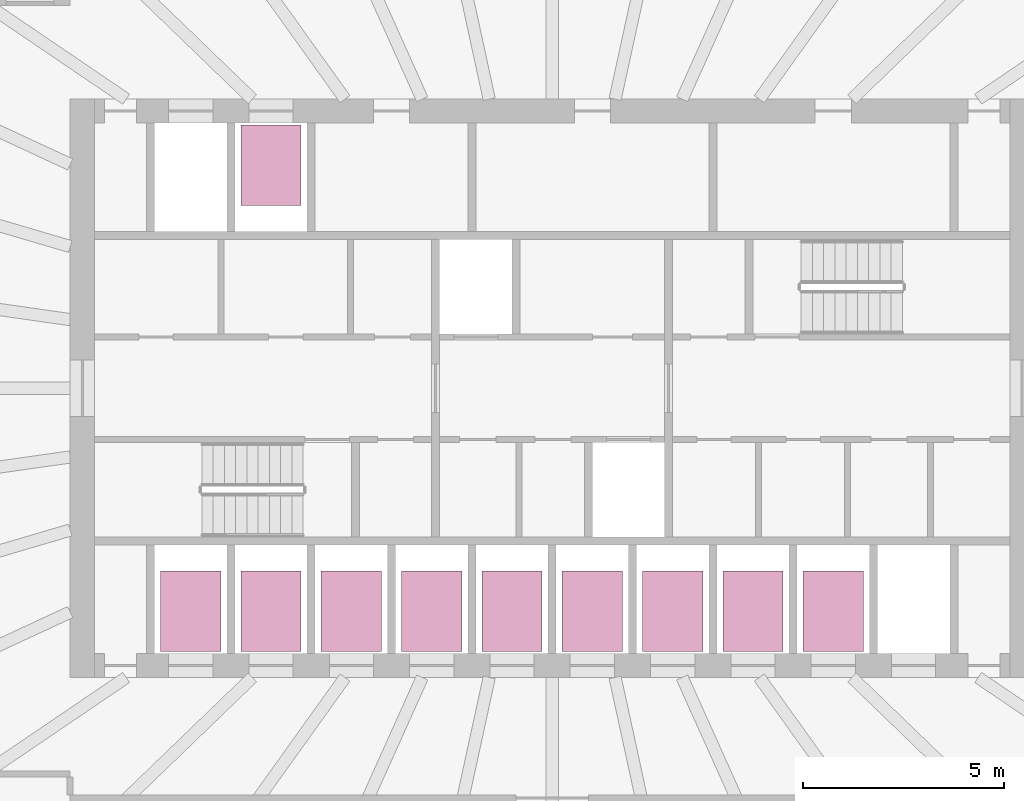
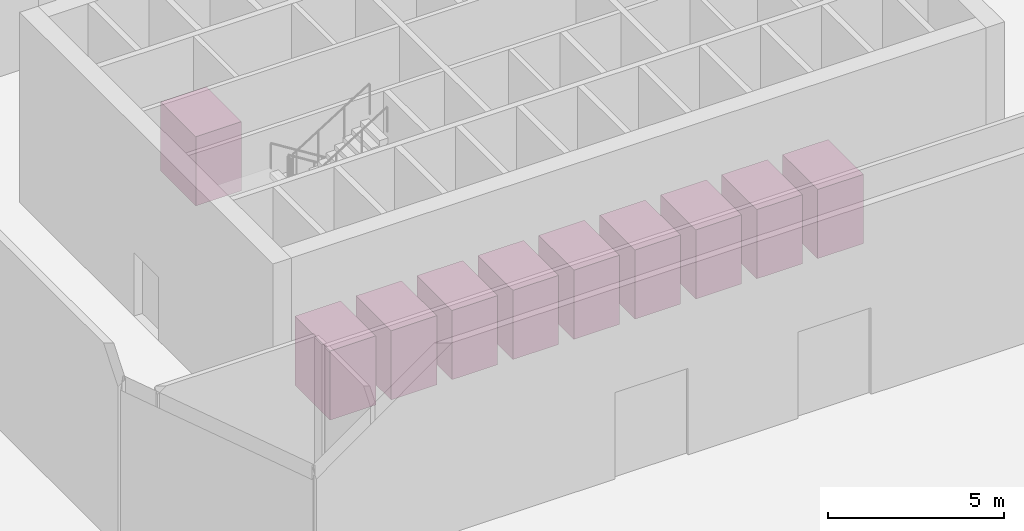
# One storey, part 10 of 10: 10 transport elements.
"""IFC4 building model written with IfcOpenShell, lengths in metres."""

from ifc_helpers import new_model, si_unit, direction, frame, origin, origin_2d, place, context, subcontext, project, spatial, rectangle, extrude, material, type_object, element, save


model = new_model("IFC4")

# Units and contexts
model_context = context("Model", 3, precision=1e-05, world=origin(), true_north=direction((0.0, 1.0)))
body_context = subcontext(model_context, "Body", "Model", "MODEL_VIEW")
ifc_project = project(units=[si_unit("LENGTHUNIT", "METRE"), si_unit("AREAUNIT", "SQUARE_METRE"), si_unit("VOLUMEUNIT", "CUBIC_METRE"), si_unit("PLANEANGLEUNIT", "RADIAN"), si_unit("MASSUNIT", "GRAM", prefix="KILO")], contexts=[model_context])

# Site, building, storey
site_placement = place(None, origin())
site = spatial("IfcSite", under=ifc_project, at=site_placement, CompositionType="ELEMENT")
building_placement = place(site_placement, origin())
building = spatial("IfcBuilding", under=site, at=building_placement, Name="Siaravel Broadcast Tower", CompositionType="ELEMENT")
storey_placement = place(building_placement, origin())
storey = spatial("IfcBuildingStorey", under=building, at=storey_placement, Name="L00", CompositionType="ELEMENT", Elevation=0.0)

# Transport elements
ifc_material = material(Name="Stainless steel 316L", Category="steel")
transport_element_type_1 = type_object("IfcTransportElementType", Name="Low-rise passenger lift", PredefinedType="ELEVATOR", material=ifc_material)
for number, where, z_axis, x_axis, name in (
    (1, (-9.0, -5.550048828125, 0.0), (0.0, 0.0, 1.0), (1.0, 0.0, 0.0), "Low-rise passenger lift LP1"),
    (2, (-7.0, -5.550048828125, 0.0), (0.0, 0.0, 1.0), (1.0, 0.0, 0.0), "Low-rise passenger lift LP2"),
    (3, (-5.0, -5.550048828125, 0.0), (0.0, 0.0, 1.0), (1.0, 0.0, 0.0), "Low-rise passenger lift LP3"),
    (4, (-3.0, -5.550048828125, 0.0), (0.0, 0.0, 1.0), (1.0, 0.0, 0.0), "Low-rise passenger lift LP4"),
    (5, (-1.0, -5.550048828125, 0.0), (0.0, 0.0, 1.0), (1.0, 0.0, 0.0), "Low-rise passenger lift LP5"),
    (6, (1.0, -5.550048828125, 0.0), (0.0, 0.0, 1.0), (1.0, 0.0, 0.0), "Low-rise passenger lift LP6"),
    (7, (3.0, -5.550048828125, 0.0), (0.0, 0.0, 1.0), (1.0, 0.0, 0.0), "Low-rise passenger lift LP7"),
    (8, (5.0, -5.550048828125, 0.0), (0.0, 0.0, 1.0), (1.0, 0.0, 0.0), "Low-rise passenger lift LP8"),
):
    element("IfcTransportElement", number, at=place(storey_placement, frame(where, z_axis=z_axis, x_axis=x_axis)), inside=storey, type_object=transport_element_type_1, Name=name, PredefinedType="ELEVATOR", context=body_context, shape_type="SweptSolid", body=[
        extrude(rectangle(XDim=1.5, YDim=2.0, at=origin_2d()), origin(), (0.0, 0.0, 1.0), 2.39990234375),
    ])
transport_element_type_2 = type_object("IfcTransportElementType", Name="Shuttle lift", PredefinedType="ELEVATOR", material=ifc_material)
for number, where, z_axis, x_axis, name in (
    (9, (7.0, -5.550048828125, 0.0), (0.0, 0.0, 1.0), (1.0, 0.0, 0.0), "Shuttle lift SH1"),
    (10, (-7.0, 5.550048828125, 0.0), (0.0, 0.0, 1.0), (1.0, 0.0, 0.0), "Shuttle lift SH2"),
):
    element("IfcTransportElement", number, at=place(storey_placement, frame(where, z_axis=z_axis, x_axis=x_axis)), inside=storey, type_object=transport_element_type_2, Name=name, PredefinedType="ELEVATOR", context=body_context, shape_type="SweptSolid", body=[
        extrude(rectangle(XDim=1.5, YDim=2.0, at=origin_2d()), origin(), (0.0, 0.0, 1.0), 2.39990234375),
    ])

save(model, "model.ifc")
